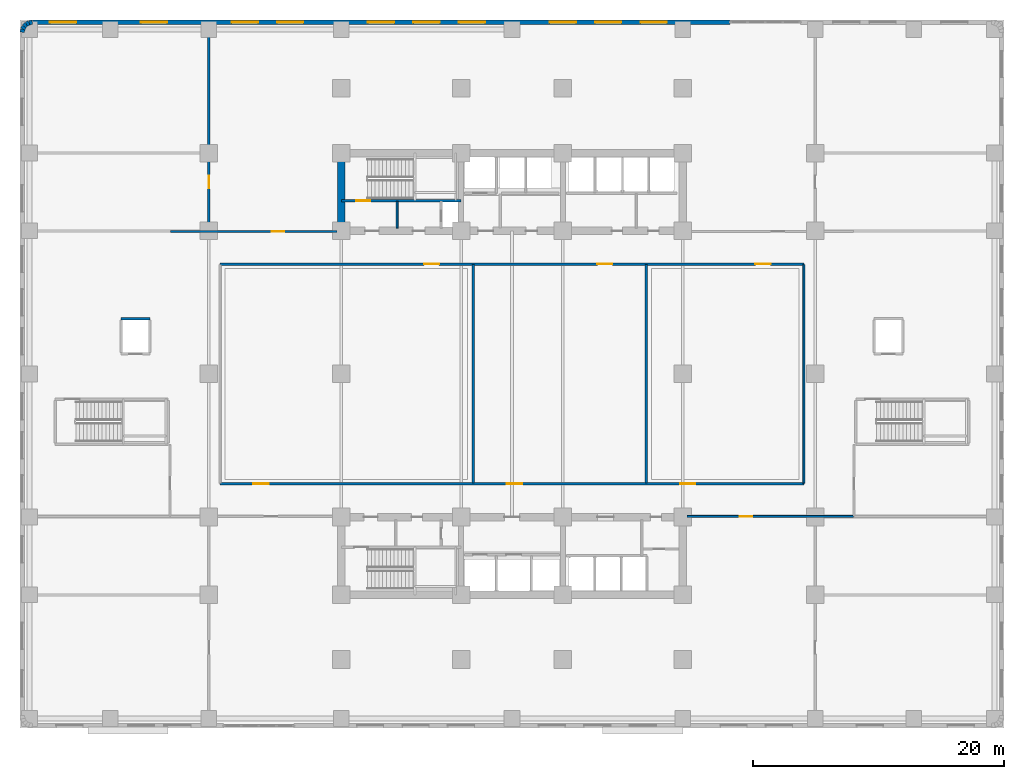
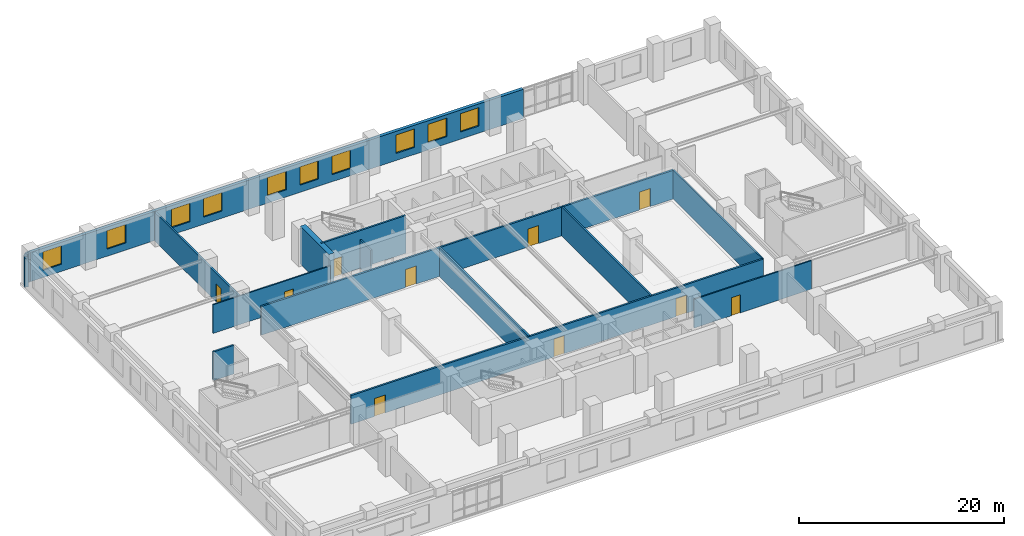
# One storey, part 8 of 15: 18 walls, 10 doors, 10 windows, 20 openings.
"""IFC4 building model written with IfcOpenShell, lengths in metres."""

from ifc_helpers import new_model, si_unit, direction, frame, frame_2d, origin, place, context, subcontext, project, spatial, rectangle, extrude, material, layer, layer_set, type_object, element, fill, save


model = new_model("IFC4")

# Units and contexts
model_context = context("Model", 3, precision=1e-05, world=origin(), true_north=direction((0.0, 1.0)))
body_context = subcontext(model_context, "Body", "Model", "MODEL_VIEW")
ifc_project = project(units=[si_unit("LENGTHUNIT", "METRE"), si_unit("AREAUNIT", "SQUARE_METRE"), si_unit("VOLUMEUNIT", "CUBIC_METRE"), si_unit("PLANEANGLEUNIT", "RADIAN"), si_unit("MASSUNIT", "GRAM", prefix="KILO")], contexts=[model_context])

# Site, building, storey
site_placement = place(None, origin())
site = spatial("IfcSite", under=ifc_project, at=site_placement, CompositionType="ELEMENT")
building_placement = place(site_placement, origin())
building = spatial("IfcBuilding", under=site, at=building_placement, Name="Svetorya Sky Lyceum", CompositionType="ELEMENT")
storey_placement = place(building_placement, frame((0.0, 0.0, 6.60009765625)))
storey = spatial("IfcBuildingStorey", under=building, at=storey_placement, Name="L01", CompositionType="ELEMENT", Elevation=6.60009765625)

# Wall
ifc_material_1 = material(Name="Concrete C60/75", Category="concrete")
ifc_layer_1 = layer(ifc_material_1, 0.60009765625)
ifc_layer_set_1 = layer_set([ifc_layer_1], Name="Concrete C60/75")
wall_type_1 = type_object("IfcWallType", Name="WL-CORE-600", PredefinedType="SHEAR", material=ifc_layer_set_1)
wall_1_placement = place(storey_placement, frame((25.60009765625, 39.89990234375, 0.0), z_axis=(0.0, 0.0, 1.0), x_axis=(0.0, 1.0, 0.0)))
element("IfcWall", 1, at=wall_1_placement, inside=storey, type_object=wall_type_1, Name="L01 NC West Core Shear Wall", PredefinedType="SHEAR", context=body_context, shape_type="SweptSolid", body=[
    extrude(rectangle(XDim=5.60009765625, YDim=0.60009765625, at=frame_2d((2.800048828125, 0.0))), origin(), (0.0, 0.0, 1.0), 4.5),
])

# Wall, openings, windows
ifc_material_2 = material(Name="Putilovo limestone rainscreen on autoclaved cellular masonry", Category="masonry")
ifc_layer_2 = layer(ifc_material_2, 0.360107421875)
ifc_layer_set_2 = layer_set([ifc_layer_2], Name="Putilovo limestone rainscreen on autoclaved cellular masonry")
wall_type_2 = type_object("IfcWallType", Name="WL-EXT-360", PredefinedType="SOLIDWALL", material=ifc_layer_set_2)
wall_2_placement = place(storey_placement, frame((56.570068359375, 56.219970703125, 0.0), z_axis=(0.0, 0.0, 1.0), x_axis=(-1.0, 0.0, 0.0)))
wall_2 = element("IfcWall", 2, at=wall_2_placement, inside=storey, type_object=wall_type_2, Name="L01 Limestone Exterior Wall 18B", PredefinedType="SOLIDWALL", context=body_context, shape_type="SweptSolid", body=[
    extrude(rectangle(XDim=55.590087890625, YDim=0.360107421875, at=frame_2d((27.794921875, 0.0))), origin(), (0.0, 0.0, 1.0), 3.47998046875),
])
opening_1_placement = place(wall_2_placement, frame((5.029052734375, 0.0, 0.85009765625)))
opening_1 = element("IfcOpeningElement", 3, at=opening_1_placement, cuts=wall_2, Name="Opening W-S3", PredefinedType="OPENING", context=body_context, shape_type="SweptSolid", body=[
    extrude(rectangle(XDim=2.10009765625, YDim=2.199951171875, at=frame_2d((1.050048828125, 1.10009765625))), frame((0.0, 0.18994140625, 0.0), z_axis=(0.0, -1.0, 0.0), x_axis=(1.0, 0.0, 0.0)), (0.0, 0.0, 1.0), 0.380126953125),
])
opening_2_placement = place(wall_2_placement, frame((8.648193359375, 0.0, 0.85009765625)))
opening_2 = element("IfcOpeningElement", 4, at=opening_2_placement, cuts=wall_2, Name="Opening W-S3", PredefinedType="OPENING", context=body_context, shape_type="SweptSolid", body=[
    extrude(rectangle(XDim=2.10009765625, YDim=2.199951171875, at=frame_2d((1.050048828125, 1.10009765625))), frame((0.0, 0.18994140625, 0.0), z_axis=(0.0, -1.0, 0.0), x_axis=(1.0, 0.0, 0.0)), (0.0, 0.0, 1.0), 0.380126953125),
])
opening_3_placement = place(wall_2_placement, frame((12.267578125, 0.0, 0.85009765625)))
opening_3 = element("IfcOpeningElement", 5, at=opening_3_placement, cuts=wall_2, Name="Opening W-S3", PredefinedType="OPENING", context=body_context, shape_type="SweptSolid", body=[
    extrude(rectangle(XDim=2.10009765625, YDim=2.199951171875, at=frame_2d((1.050048828125, 1.10009765625))), frame((0.0, 0.18994140625, 0.0), z_axis=(0.0, -1.0, 0.0), x_axis=(1.0, 0.0, 0.0)), (0.0, 0.0, 1.0), 0.380126953125),
])
opening_4_placement = place(wall_2_placement, frame((19.50634765625, 0.0, 0.85009765625)))
opening_4 = element("IfcOpeningElement", 6, at=opening_4_placement, cuts=wall_2, Name="Opening W-S3", PredefinedType="OPENING", context=body_context, shape_type="SweptSolid", body=[
    extrude(rectangle(XDim=2.10009765625, YDim=2.199951171875, at=frame_2d((1.050048828125, 1.10009765625))), frame((0.0, 0.18994140625, 0.0), z_axis=(0.0, -1.0, 0.0), x_axis=(1.0, 0.0, 0.0)), (0.0, 0.0, 1.0), 0.380126953125),
])
opening_5_placement = place(wall_2_placement, frame((23.125732421875, 0.0, 0.85009765625)))
opening_5 = element("IfcOpeningElement", 7, at=opening_5_placement, cuts=wall_2, Name="Opening W-S3", PredefinedType="OPENING", context=body_context, shape_type="SweptSolid", body=[
    extrude(rectangle(XDim=2.10009765625, YDim=2.199951171875, at=frame_2d((1.050048828125, 1.10009765625))), frame((0.0, 0.18994140625, 0.0), z_axis=(0.0, -1.0, 0.0), x_axis=(1.0, 0.0, 0.0)), (0.0, 0.0, 1.0), 0.380126953125),
])
opening_6_placement = place(wall_2_placement, frame((26.7451171875, 0.0, 0.85009765625)))
opening_6 = element("IfcOpeningElement", 8, at=opening_6_placement, cuts=wall_2, Name="Opening W-S3", PredefinedType="OPENING", context=body_context, shape_type="SweptSolid", body=[
    extrude(rectangle(XDim=2.10009765625, YDim=2.199951171875, at=frame_2d((1.050048828125, 1.10009765625))), frame((0.0, 0.18994140625, 0.0), z_axis=(0.0, -1.0, 0.0), x_axis=(1.0, 0.0, 0.0)), (0.0, 0.0, 1.0), 0.380126953125),
])
opening_7_placement = place(wall_2_placement, frame((33.983642578125, 0.0, 0.85009765625)))
opening_7 = element("IfcOpeningElement", 9, at=opening_7_placement, cuts=wall_2, Name="Opening W-S3", PredefinedType="OPENING", context=body_context, shape_type="SweptSolid", body=[
    extrude(rectangle(XDim=2.10009765625, YDim=2.199951171875, at=frame_2d((1.050048828125, 1.10009765625))), frame((0.0, 0.18994140625, 0.0), z_axis=(0.0, -1.0, 0.0), x_axis=(1.0, 0.0, 0.0)), (0.0, 0.0, 1.0), 0.380126953125),
])
opening_8_placement = place(wall_2_placement, frame((37.60302734375, 0.0, 0.85009765625)))
opening_8 = element("IfcOpeningElement", 10, at=opening_8_placement, cuts=wall_2, Name="Opening W-S3", PredefinedType="OPENING", context=body_context, shape_type="SweptSolid", body=[
    extrude(rectangle(XDim=2.10009765625, YDim=2.199951171875, at=frame_2d((1.050048828125, 1.10009765625))), frame((0.0, 0.18994140625, 0.0), z_axis=(0.0, -1.0, 0.0), x_axis=(1.0, 0.0, 0.0)), (0.0, 0.0, 1.0), 0.380126953125),
])
opening_9_placement = place(wall_2_placement, frame((44.841796875, 0.0, 0.85009765625)))
opening_9 = element("IfcOpeningElement", 11, at=opening_9_placement, cuts=wall_2, Name="Opening W-S3", PredefinedType="OPENING", context=body_context, shape_type="SweptSolid", body=[
    extrude(rectangle(XDim=2.10009765625, YDim=2.199951171875, at=frame_2d((1.050048828125, 1.10009765625))), frame((0.0, 0.18994140625, 0.0), z_axis=(0.0, -1.0, 0.0), x_axis=(1.0, 0.0, 0.0)), (0.0, 0.0, 1.0), 0.380126953125),
])
opening_10_placement = place(wall_2_placement, frame((52.080322265625, 0.0, 0.85009765625)))
opening_10 = element("IfcOpeningElement", 12, at=opening_10_placement, cuts=wall_2, Name="Opening W-S3", PredefinedType="OPENING", context=body_context, shape_type="SweptSolid", body=[
    extrude(rectangle(XDim=2.10009765625, YDim=2.199951171875, at=frame_2d((1.050048828125, 1.10009765625))), frame((0.0, 0.18994140625, 0.0), z_axis=(0.0, -1.0, 0.0), x_axis=(1.0, 0.0, 0.0)), (0.0, 0.0, 1.0), 0.380126953125),
])
ifc_material_3 = material(Name="Thermally broken aluminium frame with triple low-E glazing", Category="aluminium")
window_type = type_object("IfcWindowType", Name="WN-SCH-210", PartitioningType="TRIPLE_PANEL_VERTICAL", PredefinedType="WINDOW", material=ifc_material_3)
window_1_placement = place(opening_1_placement, origin())
window_1 = element("IfcWindow", 13, at=window_1_placement, inside=storey, type_object=window_type, Name="L01 Facade Window W-S3.18B.1", OverallHeight=2.199951171875, OverallWidth=2.10009765625, PartitioningType="SINGLE_PANEL", PredefinedType="WINDOW", context=body_context, shape_type="SweptSolid", body=[
    extrude(rectangle(XDim=2.10009765625, YDim=2.199951171875, at=frame_2d((1.050048828125, 1.10009765625))), frame((0.0, 0.030029296875, 0.0), z_axis=(0.0, -1.0, 0.0), x_axis=(1.0, 0.0, 0.0)), (0.0, 0.0, 1.0), 0.06005859375),
])
fill(opening_1, window_1)
window_2_placement = place(opening_2_placement, origin())
window_2 = element("IfcWindow", 14, at=window_2_placement, inside=storey, type_object=window_type, Name="L01 Facade Window W-S3.18B.2", OverallHeight=2.199951171875, OverallWidth=2.10009765625, PartitioningType="SINGLE_PANEL", PredefinedType="WINDOW", context=body_context, shape_type="SweptSolid", body=[
    extrude(rectangle(XDim=2.10009765625, YDim=2.199951171875, at=frame_2d((1.050048828125, 1.10009765625))), frame((0.0, 0.030029296875, 0.0), z_axis=(0.0, -1.0, 0.0), x_axis=(1.0, 0.0, 0.0)), (0.0, 0.0, 1.0), 0.06005859375),
])
fill(opening_2, window_2)
window_3_placement = place(opening_3_placement, origin())
window_3 = element("IfcWindow", 15, at=window_3_placement, inside=storey, type_object=window_type, Name="L01 Facade Window W-S3.18B.3", OverallHeight=2.199951171875, OverallWidth=2.10009765625, PartitioningType="SINGLE_PANEL", PredefinedType="WINDOW", context=body_context, shape_type="SweptSolid", body=[
    extrude(rectangle(XDim=2.10009765625, YDim=2.199951171875, at=frame_2d((1.050048828125, 1.10009765625))), frame((0.0, 0.030029296875, 0.0), z_axis=(0.0, -1.0, 0.0), x_axis=(1.0, 0.0, 0.0)), (0.0, 0.0, 1.0), 0.06005859375),
])
fill(opening_3, window_3)
window_4_placement = place(opening_4_placement, origin())
window_4 = element("IfcWindow", 16, at=window_4_placement, inside=storey, type_object=window_type, Name="L01 Facade Window W-S3.18B.4", OverallHeight=2.199951171875, OverallWidth=2.10009765625, PartitioningType="SINGLE_PANEL", PredefinedType="WINDOW", context=body_context, shape_type="SweptSolid", body=[
    extrude(rectangle(XDim=2.10009765625, YDim=2.199951171875, at=frame_2d((1.050048828125, 1.10009765625))), frame((0.0, 0.030029296875, 0.0), z_axis=(0.0, -1.0, 0.0), x_axis=(1.0, 0.0, 0.0)), (0.0, 0.0, 1.0), 0.06005859375),
])
fill(opening_4, window_4)
window_5_placement = place(opening_5_placement, origin())
window_5 = element("IfcWindow", 17, at=window_5_placement, inside=storey, type_object=window_type, Name="L01 Facade Window W-S3.18B.5", OverallHeight=2.199951171875, OverallWidth=2.10009765625, PartitioningType="SINGLE_PANEL", PredefinedType="WINDOW", context=body_context, shape_type="SweptSolid", body=[
    extrude(rectangle(XDim=2.10009765625, YDim=2.199951171875, at=frame_2d((1.050048828125, 1.10009765625))), frame((0.0, 0.030029296875, 0.0), z_axis=(0.0, -1.0, 0.0), x_axis=(1.0, 0.0, 0.0)), (0.0, 0.0, 1.0), 0.06005859375),
])
fill(opening_5, window_5)
window_6_placement = place(opening_6_placement, origin())
window_6 = element("IfcWindow", 18, at=window_6_placement, inside=storey, type_object=window_type, Name="L01 Facade Window W-S3.18B.6", OverallHeight=2.199951171875, OverallWidth=2.10009765625, PartitioningType="SINGLE_PANEL", PredefinedType="WINDOW", context=body_context, shape_type="SweptSolid", body=[
    extrude(rectangle(XDim=2.10009765625, YDim=2.199951171875, at=frame_2d((1.050048828125, 1.10009765625))), frame((0.0, 0.030029296875, 0.0), z_axis=(0.0, -1.0, 0.0), x_axis=(1.0, 0.0, 0.0)), (0.0, 0.0, 1.0), 0.06005859375),
])
fill(opening_6, window_6)
window_7_placement = place(opening_7_placement, origin())
window_7 = element("IfcWindow", 19, at=window_7_placement, inside=storey, type_object=window_type, Name="L01 Facade Window W-S3.18B.7", OverallHeight=2.199951171875, OverallWidth=2.10009765625, PartitioningType="SINGLE_PANEL", PredefinedType="WINDOW", context=body_context, shape_type="SweptSolid", body=[
    extrude(rectangle(XDim=2.10009765625, YDim=2.199951171875, at=frame_2d((1.050048828125, 1.10009765625))), frame((0.0, 0.030029296875, 0.0), z_axis=(0.0, -1.0, 0.0), x_axis=(1.0, 0.0, 0.0)), (0.0, 0.0, 1.0), 0.06005859375),
])
fill(opening_7, window_7)
window_8_placement = place(opening_8_placement, origin())
window_8 = element("IfcWindow", 20, at=window_8_placement, inside=storey, type_object=window_type, Name="L01 Facade Window W-S3.18B.8", OverallHeight=2.199951171875, OverallWidth=2.10009765625, PartitioningType="SINGLE_PANEL", PredefinedType="WINDOW", context=body_context, shape_type="SweptSolid", body=[
    extrude(rectangle(XDim=2.10009765625, YDim=2.199951171875, at=frame_2d((1.050048828125, 1.10009765625))), frame((0.0, 0.030029296875, 0.0), z_axis=(0.0, -1.0, 0.0), x_axis=(1.0, 0.0, 0.0)), (0.0, 0.0, 1.0), 0.06005859375),
])
fill(opening_8, window_8)
window_9_placement = place(opening_9_placement, origin())
window_9 = element("IfcWindow", 21, at=window_9_placement, inside=storey, type_object=window_type, Name="L01 Facade Window W-S3.18B.9", OverallHeight=2.199951171875, OverallWidth=2.10009765625, PartitioningType="SINGLE_PANEL", PredefinedType="WINDOW", context=body_context, shape_type="SweptSolid", body=[
    extrude(rectangle(XDim=2.10009765625, YDim=2.199951171875, at=frame_2d((1.050048828125, 1.10009765625))), frame((0.0, 0.030029296875, 0.0), z_axis=(0.0, -1.0, 0.0), x_axis=(1.0, 0.0, 0.0)), (0.0, 0.0, 1.0), 0.06005859375),
])
fill(opening_9, window_9)
window_10_placement = place(opening_10_placement, origin())
window_10 = element("IfcWindow", 22, at=window_10_placement, inside=storey, type_object=window_type, Name="L01 Facade Window W-S3.18B.10", OverallHeight=2.199951171875, OverallWidth=2.10009765625, PartitioningType="SINGLE_PANEL", PredefinedType="WINDOW", context=body_context, shape_type="SweptSolid", body=[
    extrude(rectangle(XDim=2.10009765625, YDim=2.199951171875, at=frame_2d((1.050048828125, 1.10009765625))), frame((0.0, 0.030029296875, 0.0), z_axis=(0.0, -1.0, 0.0), x_axis=(1.0, 0.0, 0.0)), (0.0, 0.0, 1.0), 0.06005859375),
])
fill(opening_10, window_10)

# Walls
wall_3_placement = place(storey_placement, frame((0.97998046875, 56.219970703125, 0.0), z_axis=(0.0, 0.0, 1.0), x_axis=(-0.987731290312, -0.156163049852, 0.0)))
element("IfcWall", 23, at=wall_3_placement, inside=storey, type_object=wall_type_2, Name="L01 Limestone Exterior Wall 19M", PredefinedType="SOLIDWALL", context=body_context, shape_type="SweptSolid", body=[
    extrude(rectangle(XDim=0.250244140625, YDim=0.360107421875, at=frame_2d((0.125, 0.0))), origin(), (0.0, 0.0, 1.0), 3.47998046875),
])
wall_4_placement = place(storey_placement, frame((0.73291015625, 56.180908203125, 0.0), z_axis=(0.0, 0.0, 1.0), x_axis=(-0.89089067942, -0.454217786225, 0.0)))
element("IfcWall", 24, at=wall_4_placement, inside=storey, type_object=wall_type_2, Name="L01 Limestone Exterior Wall 20M", PredefinedType="SOLIDWALL", context=body_context, shape_type="SweptSolid", body=[
    extrude(rectangle(XDim=0.25048828125, YDim=0.360107421875, at=frame_2d((0.125244140625, 0.0))), origin(), (0.0, 0.0, 1.0), 3.47998046875),
])
for number, where, z_axis, x_axis, name in (
    (25, (0.509765625, 56.067138671875, 0.0), (0.0, 0.0, 1.0), (-0.707106781187, -0.707106781187, 0.0), "L01 Limestone Exterior Wall 21M"),
    (26, (0.332763671875, 55.89013671875, 0.0), (0.0, 0.0, 1.0), (-0.453838055457, -0.891084182005, 0.0), "L01 Limestone Exterior Wall 22M"),
):
    element("IfcWall", number, at=place(storey_placement, frame(where, z_axis=z_axis, x_axis=x_axis)), inside=storey, type_object=wall_type_2, Name=name, PredefinedType="SOLIDWALL", context=body_context, shape_type="SweptSolid", body=[
        extrude(rectangle(XDim=0.250244140625, YDim=0.360107421875, at=frame_2d((0.125, 0.0))), origin(), (0.0, 0.0, 1.0), 3.47998046875),
    ])
wall_5_placement = place(storey_placement, frame((0.21923828125, 55.667236328125, 0.0), z_axis=(0.0, 0.0, 1.0), x_axis=(-0.156963773077, -0.987604361038, 0.0)))
element("IfcWall", 27, at=wall_5_placement, inside=storey, type_object=wall_type_2, Name="L01 Limestone Exterior Wall 23M", PredefinedType="SOLIDWALL", context=body_context, shape_type="SweptSolid", body=[
    extrude(rectangle(XDim=0.25048828125, YDim=0.360107421875, at=frame_2d((0.125244140625, 0.0))), origin(), (0.0, 0.0, 1.0), 3.47998046875),
])
ifc_material_4 = material(Name="Autoclaved cellular masonry blockwork with acoustic render", Category="masonry")
ifc_layer_3 = layer(ifc_material_4, 0.14990234375)
ifc_layer_set_3 = layer_set([ifc_layer_3], Name="Autoclaved cellular masonry blockwork with acoustic render")
wall_type_3 = type_object("IfcWallType", Name="WL-PART-150", PredefinedType="PARTITIONING", material=ifc_layer_set_3)
wall_6_placement = place(storey_placement, frame((30.050048828125, 39.820068359375, 0.0), z_axis=(0.0, 0.0, 1.0), x_axis=(0.0, 1.0, 0.0)))
element("IfcWall", 28, at=wall_6_placement, inside=storey, type_object=wall_type_3, Name="L01 Interior Partition NC-NWD1", PredefinedType="PARTITIONING", context=body_context, shape_type="SweptSolid", body=[
    extrude(rectangle(XDim=2.1298828125, YDim=0.14990234375, at=frame_2d((1.06494140625, 0.0))), origin(), (0.0, 0.0, 1.0), 3.419921875),
])
wall_7_placement = place(storey_placement, frame((62.449951171875, 19.5, 0.0), z_axis=(0.0, 0.0, 1.0), x_axis=(0.0, 1.0, 0.0)))
element("IfcWall", 29, at=wall_7_placement, inside=storey, type_object=wall_type_3, Name="L01 Interior Partition CEN-E", PredefinedType="PARTITIONING", context=body_context, shape_type="SweptSolid", body=[
    extrude(rectangle(XDim=17.39990234375, YDim=0.14990234375, at=frame_2d((8.699951171875, 0.0))), origin(), (0.0, 0.0, 1.0), 3.419921875),
])

# Wall, opening, door
wall_8_placement = place(storey_placement, frame((53.14990234375, 16.85009765625, 0.0), z_axis=(0.0, 0.0, 1.0), x_axis=(1.0, 0.0, 0.0)))
wall_8 = element("IfcWall", 30, at=wall_8_placement, inside=storey, type_object=wall_type_3, Name="L01 Interior Partition SE-CORR", PredefinedType="PARTITIONING", context=body_context, shape_type="SweptSolid", body=[
    extrude(rectangle(XDim=13.25, YDim=0.14990234375, at=frame_2d((6.625, 0.0))), origin(), (0.0, 0.0, 1.0), 3.419921875),
])
opening_11_placement = place(wall_8_placement, frame((4.199951171875, 0.0, 0.0)))
opening_11 = element("IfcOpeningElement", 31, at=opening_11_placement, cuts=wall_8, Name="Opening D-RM2", PredefinedType="OPENING", context=body_context, shape_type="SweptSolid", body=[
    extrude(rectangle(XDim=1.0, YDim=2.14990234375, at=frame_2d((0.5, 1.074951171875))), frame((0.0, 0.0849609375, 0.0), z_axis=(0.0, -1.0, 0.0), x_axis=(1.0, 0.0, 0.0)), (0.0, 0.0, 1.0), 0.169921875),
])
ifc_material_5 = material(Name="Solid-core oak acoustic room door")
door_type_1 = type_object("IfcDoorType", Name="DR-INT-1000", OperationType="SINGLE_SWING_LEFT", PredefinedType="DOOR", material=ifc_material_5)
door_1_placement = place(opening_11_placement, origin())
door_1 = element("IfcDoor", 32, at=door_1_placement, inside=storey, type_object=door_type_1, Name="L01 Classroom SE1 Door", OperationType="SINGLE_SWING_RIGHT", OverallHeight=2.14990234375, OverallWidth=1.0, PredefinedType="DOOR", context=body_context, shape_type="SweptSolid", body=[
    extrude(rectangle(XDim=1.0, YDim=2.14990234375, at=frame_2d((0.5, 1.074951171875))), frame((0.0, 0.02490234375, 0.0), z_axis=(0.0, -1.0, 0.0), x_axis=(1.0, 0.0, 0.0)), (0.0, 0.0, 1.0), 0.050048828125),
])
fill(opening_11, door_1)

wall_9_placement = place(storey_placement, frame((25.25, 39.550048828125, 0.0), z_axis=(0.0, 0.0, 1.0), x_axis=(-1.0, 0.0, 0.0)))
wall_9 = element("IfcWall", 33, at=wall_9_placement, inside=storey, type_object=wall_type_3, Name="L01 Interior Partition NW-CORR", PredefinedType="PARTITIONING", context=body_context, shape_type="SweptSolid", body=[
    extrude(rectangle(XDim=13.25, YDim=0.14990234375, at=frame_2d((6.625, 0.0))), origin(), (0.0, 0.0, 1.0), 3.419921875),
])
opening_12_placement = place(wall_9_placement, frame((4.199951171875, 0.0, 0.0)))
opening_12 = element("IfcOpeningElement", 34, at=opening_12_placement, cuts=wall_9, Name="Opening D-RM2", PredefinedType="OPENING", context=body_context, shape_type="SweptSolid", body=[
    extrude(rectangle(XDim=1.0, YDim=2.14990234375, at=frame_2d((0.5, 1.074951171875))), frame((0.0, 0.0849609375, 0.0), z_axis=(0.0, -1.0, 0.0), x_axis=(1.0, 0.0, 0.0)), (0.0, 0.0, 1.0), 0.169921875),
])
door_2_placement = place(opening_12_placement, origin())
door_2 = element("IfcDoor", 35, at=door_2_placement, inside=storey, type_object=door_type_1, Name="L01 Classroom NW2 Door", OperationType="SINGLE_SWING_RIGHT", OverallHeight=2.14990234375, OverallWidth=1.0, PredefinedType="DOOR", context=body_context, shape_type="SweptSolid", body=[
    extrude(rectangle(XDim=1.0, YDim=2.14990234375, at=frame_2d((0.5, 1.074951171875))), frame((0.0, 0.02490234375, 0.0), z_axis=(0.0, -1.0, 0.0), x_axis=(1.0, 0.0, 0.0)), (0.0, 0.0, 1.0), 0.050048828125),
])
fill(opening_12, door_2)

# Walls
ifc_material_6 = material(Name="Autoclaved cellular masonry blockwork with gypsum plaster", Category="masonry")
ifc_layer_4 = layer(ifc_material_6, 0.199951171875)
ifc_layer_set_4 = layer_set([ifc_layer_4], Name="Autoclaved cellular masonry blockwork with gypsum plaster")
wall_type_4 = type_object("IfcWallType", Name="WL-PART-200", PredefinedType="PARTITIONING", material=ifc_layer_set_4)
wall_10_placement = place(storey_placement, frame((8.050048828125, 32.60009765625, 0.0), z_axis=(0.0, 0.0, 1.0), x_axis=(1.0, 0.0, 0.0)))
element("IfcWall", 36, at=wall_10_placement, inside=storey, type_object=wall_type_4, Name="L01 Interior Partition SHL-N-SCHL1", PredefinedType="PARTITIONING", context=body_context, shape_type="SweptSolid", body=[
    extrude(rectangle(XDim=2.300048828125, YDim=0.199951171875, at=frame_2d((1.14990234375, 0.0))), origin(), (0.0, 0.0, 1.0), 3.419921875),
])
for number, where, z_axis, x_axis, name in (
    (37, (36.10009765625, 19.5, 0.0), (0.0, 0.0, 1.0), (0.0, 1.0, 0.0), "L01 Interior Partition CEN-DIV-1"),
    (38, (49.89990234375, 19.5, 0.0), (0.0, 0.0, 1.0), (0.0, 1.0, 0.0), "L01 Interior Partition CEN-DIV-2"),
):
    element("IfcWall", number, at=place(storey_placement, frame(where, z_axis=z_axis, x_axis=x_axis)), inside=storey, type_object=wall_type_4, Name=name, PredefinedType="PARTITIONING", context=body_context, shape_type="SweptSolid", body=[
        extrude(rectangle(XDim=17.39990234375, YDim=0.199951171875, at=frame_2d((8.699951171875, 0.0))), origin(), (0.0, 0.0, 1.0), 3.419921875),
    ])

# Wall, openings, doors
wall_11_placement = place(storey_placement, frame((15.949951171875, 19.449951171875, 0.0), z_axis=(0.0, 0.0, 1.0), x_axis=(1.0, 0.0, 0.0)))
wall_11 = element("IfcWall", 39, at=wall_11_placement, inside=storey, type_object=wall_type_4, Name="L01 Interior Partition CEN-S", PredefinedType="PARTITIONING", context=body_context, shape_type="SweptSolid", body=[
    extrude(rectangle(XDim=46.5, YDim=0.199951171875, at=frame_2d((23.25, 0.0))), origin(), (0.0, 0.0, 1.0), 3.419921875),
])
opening_13_placement = place(wall_11_placement, frame((2.64990234375, 0.0, 0.0)))
opening_13 = element("IfcOpeningElement", 40, at=opening_13_placement, cuts=wall_11, Name="Opening D-SC1", PredefinedType="OPENING", context=body_context, shape_type="SweptSolid", body=[
    extrude(rectangle(XDim=1.199951171875, YDim=2.14990234375, at=frame_2d((0.60009765625, 1.074951171875))), frame((0.0, 0.10986328125, 0.0), z_axis=(0.0, -1.0, 0.0), x_axis=(1.0, 0.0, 0.0)), (0.0, 0.0, 1.0), 0.219970703125),
])
opening_14_placement = place(wall_11_placement, frame((22.85009765625, 0.0, 0.0)))
opening_14 = element("IfcOpeningElement", 41, at=opening_14_placement, cuts=wall_11, Name="Opening D-SC1", PredefinedType="OPENING", context=body_context, shape_type="SweptSolid", body=[
    extrude(rectangle(XDim=1.199951171875, YDim=2.14990234375, at=frame_2d((0.60009765625, 1.074951171875))), frame((0.0, 0.10986328125, 0.0), z_axis=(0.0, -1.0, 0.0), x_axis=(1.0, 0.0, 0.0)), (0.0, 0.0, 1.0), 0.219970703125),
])
opening_15_placement = place(wall_11_placement, frame((36.64990234375, 0.0, 0.0)))
opening_15 = element("IfcOpeningElement", 42, at=opening_15_placement, cuts=wall_11, Name="Opening D-SC1", PredefinedType="OPENING", context=body_context, shape_type="SweptSolid", body=[
    extrude(rectangle(XDim=1.199951171875, YDim=2.14990234375, at=frame_2d((0.60009765625, 1.074951171875))), frame((0.0, 0.10986328125, 0.0), z_axis=(0.0, -1.0, 0.0), x_axis=(1.0, 0.0, 0.0)), (0.0, 0.0, 1.0), 0.219970703125),
])
ifc_material_7 = material(Name="Acoustic solid-core birch classroom door")
door_type_2 = type_object("IfcDoorType", Name="DR-SCH-1200", OperationType="SINGLE_SWING_LEFT", PredefinedType="DOOR", material=ifc_material_7)
door_3_placement = place(opening_13_placement, origin())
door_3 = element("IfcDoor", 43, at=door_3_placement, inside=storey, type_object=door_type_2, Name="L01 Student Dining Canteen Hall South Door", OperationType="SINGLE_SWING_LEFT", OverallHeight=2.14990234375, OverallWidth=1.199951171875, PredefinedType="DOOR", context=body_context, shape_type="SweptSolid", body=[
    extrude(rectangle(XDim=1.199951171875, YDim=2.14990234375, at=frame_2d((0.60009765625, 1.074951171875))), frame((0.0, 0.02490234375, 0.0), z_axis=(0.0, -1.0, 0.0), x_axis=(1.0, 0.0, 0.0)), (0.0, 0.0, 1.0), 0.050048828125),
])
fill(opening_13, door_3)
door_4_placement = place(opening_14_placement, origin())
door_4 = element("IfcDoor", 44, at=door_4_placement, inside=storey, type_object=door_type_2, Name="L01 School Production Kitchen South Door", OperationType="SINGLE_SWING_RIGHT", OverallHeight=2.14990234375, OverallWidth=1.199951171875, PredefinedType="DOOR", context=body_context, shape_type="SweptSolid", body=[
    extrude(rectangle(XDim=1.199951171875, YDim=2.14990234375, at=frame_2d((0.60009765625, 1.074951171875))), frame((0.0, 0.02490234375, 0.0), z_axis=(0.0, -1.0, 0.0), x_axis=(1.0, 0.0, 0.0)), (0.0, 0.0, 1.0), 0.050048828125),
])
fill(opening_14, door_4)
door_5_placement = place(opening_15_placement, origin())
door_5 = element("IfcDoor", 45, at=door_5_placement, inside=storey, type_object=door_type_2, Name="L01 Classroom Primary 101 South Door", OperationType="SINGLE_SWING_LEFT", OverallHeight=2.14990234375, OverallWidth=1.199951171875, PredefinedType="DOOR", context=body_context, shape_type="SweptSolid", body=[
    extrude(rectangle(XDim=1.199951171875, YDim=2.14990234375, at=frame_2d((0.60009765625, 1.074951171875))), frame((0.0, 0.02490234375, 0.0), z_axis=(0.0, -1.0, 0.0), x_axis=(1.0, 0.0, 0.0)), (0.0, 0.0, 1.0), 0.050048828125),
])
fill(opening_15, door_5)

wall_12_placement = place(storey_placement, frame((62.449951171875, 36.949951171875, 0.0), z_axis=(0.0, 0.0, 1.0), x_axis=(-1.0, 0.0, 0.0)))
wall_12 = element("IfcWall", 46, at=wall_12_placement, inside=storey, type_object=wall_type_4, Name="L01 Interior Partition CEN-N", PredefinedType="PARTITIONING", context=body_context, shape_type="SweptSolid", body=[
    extrude(rectangle(XDim=46.5, YDim=0.199951171875, at=frame_2d((23.25, 0.0))), origin(), (0.0, 0.0, 1.0), 3.419921875),
])
opening_16_placement = place(wall_12_placement, frame((29.050048828125, 0.0, 0.0)))
opening_16 = element("IfcOpeningElement", 47, at=opening_16_placement, cuts=wall_12, Name="Opening D-SC1", PredefinedType="OPENING", context=body_context, shape_type="SweptSolid", body=[
    extrude(rectangle(XDim=1.199951171875, YDim=2.14990234375, at=frame_2d((0.60009765625, 1.074951171875))), frame((0.0, 0.10986328125, 0.0), z_axis=(0.0, -1.0, 0.0), x_axis=(1.0, 0.0, 0.0)), (0.0, 0.0, 1.0), 0.219970703125),
])
opening_17_placement = place(wall_12_placement, frame((15.25, 0.0, 0.0)))
opening_17 = element("IfcOpeningElement", 48, at=opening_17_placement, cuts=wall_12, Name="Opening D-SC1", PredefinedType="OPENING", context=body_context, shape_type="SweptSolid", body=[
    extrude(rectangle(XDim=1.199951171875, YDim=2.14990234375, at=frame_2d((0.60009765625, 1.074951171875))), frame((0.0, 0.10986328125, 0.0), z_axis=(0.0, -1.0, 0.0), x_axis=(1.0, 0.0, 0.0)), (0.0, 0.0, 1.0), 0.219970703125),
])
opening_18_placement = place(wall_12_placement, frame((2.64990234375, 0.0, 0.0)))
opening_18 = element("IfcOpeningElement", 49, at=opening_18_placement, cuts=wall_12, Name="Opening D-SC1", PredefinedType="OPENING", context=body_context, shape_type="SweptSolid", body=[
    extrude(rectangle(XDim=1.199951171875, YDim=2.14990234375, at=frame_2d((0.60009765625, 1.074951171875))), frame((0.0, 0.10986328125, 0.0), z_axis=(0.0, -1.0, 0.0), x_axis=(1.0, 0.0, 0.0)), (0.0, 0.0, 1.0), 0.219970703125),
])
door_6_placement = place(opening_16_placement, origin())
door_6 = element("IfcDoor", 50, at=door_6_placement, inside=storey, type_object=door_type_2, Name="L01 Student Dining Canteen Hall North Door", OperationType="SINGLE_SWING_RIGHT", OverallHeight=2.14990234375, OverallWidth=1.199951171875, PredefinedType="DOOR", context=body_context, shape_type="SweptSolid", body=[
    extrude(rectangle(XDim=1.199951171875, YDim=2.14990234375, at=frame_2d((0.60009765625, 1.074951171875))), frame((0.0, 0.02490234375, 0.0), z_axis=(0.0, -1.0, 0.0), x_axis=(1.0, 0.0, 0.0)), (0.0, 0.0, 1.0), 0.050048828125),
])
fill(opening_16, door_6)
door_7_placement = place(opening_17_placement, origin())
door_7 = element("IfcDoor", 51, at=door_7_placement, inside=storey, type_object=door_type_2, Name="L01 School Production Kitchen North Door", OperationType="SINGLE_SWING_LEFT", OverallHeight=2.14990234375, OverallWidth=1.199951171875, PredefinedType="DOOR", context=body_context, shape_type="SweptSolid", body=[
    extrude(rectangle(XDim=1.199951171875, YDim=2.14990234375, at=frame_2d((0.60009765625, 1.074951171875))), frame((0.0, 0.02490234375, 0.0), z_axis=(0.0, -1.0, 0.0), x_axis=(1.0, 0.0, 0.0)), (0.0, 0.0, 1.0), 0.050048828125),
])
fill(opening_17, door_7)
door_8_placement = place(opening_18_placement, origin())
door_8 = element("IfcDoor", 52, at=door_8_placement, inside=storey, type_object=door_type_2, Name="L01 Classroom Primary 101 North Door", OperationType="SINGLE_SWING_RIGHT", OverallHeight=2.14990234375, OverallWidth=1.199951171875, PredefinedType="DOOR", context=body_context, shape_type="SweptSolid", body=[
    extrude(rectangle(XDim=1.199951171875, YDim=2.14990234375, at=frame_2d((0.60009765625, 1.074951171875))), frame((0.0, 0.02490234375, 0.0), z_axis=(0.0, -1.0, 0.0), x_axis=(1.0, 0.0, 0.0)), (0.0, 0.0, 1.0), 0.050048828125),
])
fill(opening_18, door_8)

# Wall, opening, door
wall_13_placement = place(storey_placement, frame((15.050048828125, 39.60009765625, 0.0), z_axis=(0.0, 0.0, 1.0), x_axis=(0.0, 1.0, 0.0)))
wall_13 = element("IfcWall", 53, at=wall_13_placement, inside=storey, type_object=wall_type_4, Name="L01 Interior Partition NW-DIV", PredefinedType="PARTITIONING", context=body_context, shape_type="SweptSolid", body=[
    extrude(rectangle(XDim=16.39990234375, YDim=0.199951171875, at=frame_2d((8.199951171875, 0.0))), origin(), (0.0, 0.0, 1.0), 3.419921875),
])
opening_19_placement = place(wall_13_placement, frame((3.39990234375, 0.0, 0.0)))
opening_19 = element("IfcOpeningElement", 54, at=opening_19_placement, cuts=wall_13, Name="Opening D-RM2", PredefinedType="OPENING", context=body_context, shape_type="SweptSolid", body=[
    extrude(rectangle(XDim=1.0, YDim=2.14990234375, at=frame_2d((0.5, 1.074951171875))), frame((0.0, 0.10986328125, 0.0), z_axis=(0.0, -1.0, 0.0), x_axis=(1.0, 0.0, 0.0)), (0.0, 0.0, 1.0), 0.219970703125),
])
door_9_placement = place(opening_19_placement, origin())
door_9 = element("IfcDoor", 55, at=door_9_placement, inside=storey, type_object=door_type_1, Name="L01 Seminar Room Door", OperationType="SINGLE_SWING_LEFT", OverallHeight=2.14990234375, OverallWidth=1.0, PredefinedType="DOOR", context=body_context, shape_type="SweptSolid", body=[
    extrude(rectangle(XDim=1.0, YDim=2.14990234375, at=frame_2d((0.5, 1.074951171875))), frame((0.0, 0.02490234375, 0.0), z_axis=(0.0, -1.0, 0.0), x_axis=(1.0, 0.0, 0.0)), (0.0, 0.0, 1.0), 0.050048828125),
])
fill(opening_19, door_9)

ifc_material_8 = material(Name="Concrete C50/60", Category="concrete")
ifc_layer_5 = layer(ifc_material_8, 0.199951171875)
ifc_layer_set_5 = layer_set([ifc_layer_5], Name="Concrete C50/60")
wall_type_5 = type_object("IfcWallType", Name="WL-SHW-200", PredefinedType="SHEAR", material=ifc_layer_set_5)
wall_14_placement = place(storey_placement, frame((35.14990234375, 42.0, 0.0), z_axis=(0.0, 0.0, 1.0), x_axis=(-1.0, 0.0, 0.0)))
wall_14 = element("IfcWall", 56, at=wall_14_placement, inside=storey, type_object=wall_type_5, Name="L01 Structural Stair Shaft Wall NC-STW", PredefinedType="SHEAR", context=body_context, shape_type="SweptSolid", body=[
    extrude(rectangle(XDim=9.5498046875, YDim=0.199951171875, at=frame_2d((4.77490234375, 0.0))), origin(), (0.0, 0.0, 1.0), 4.5),
])
opening_20_placement = place(wall_14_placement, frame((7.25, 0.0, 0.0)))
opening_20 = element("IfcOpeningElement", 57, at=opening_20_placement, cuts=wall_14, Name="Opening D-ST1", PredefinedType="OPENING", context=body_context, shape_type="SweptSolid", body=[
    extrude(rectangle(XDim=1.10009765625, YDim=2.14990234375, at=frame_2d((0.550048828125, 1.074951171875))), frame((0.0, 0.10986328125, 0.0), z_axis=(0.0, -1.0, 0.0), x_axis=(1.0, 0.0, 0.0)), (0.0, 0.0, 1.0), 0.219970703125),
])
ifc_material_9 = material(Name="Powder-coated insulated galvanized stair fire door")
door_type_3 = type_object("IfcDoorType", Name="DR-FIRE-1100", OperationType="SINGLE_SWING_LEFT", PredefinedType="DOOR", material=ifc_material_9)
door_10_placement = place(opening_20_placement, origin())
door_10 = element("IfcDoor", 58, at=door_10_placement, inside=storey, type_object=door_type_3, Name="L01 Stair ST-N Vestibule Fire Door", OperationType="SINGLE_SWING_RIGHT", OverallHeight=2.14990234375, OverallWidth=1.10009765625, PredefinedType="DOOR", context=body_context, shape_type="SweptSolid", body=[
    extrude(rectangle(XDim=1.10009765625, YDim=2.14990234375, at=frame_2d((0.550048828125, 1.074951171875))), frame((0.0, 0.02490234375, 0.0), z_axis=(0.0, -1.0, 0.0), x_axis=(1.0, 0.0, 0.0)), (0.0, 0.0, 1.0), 0.050048828125),
])
fill(opening_20, door_10)

save(model, "model.ifc")
